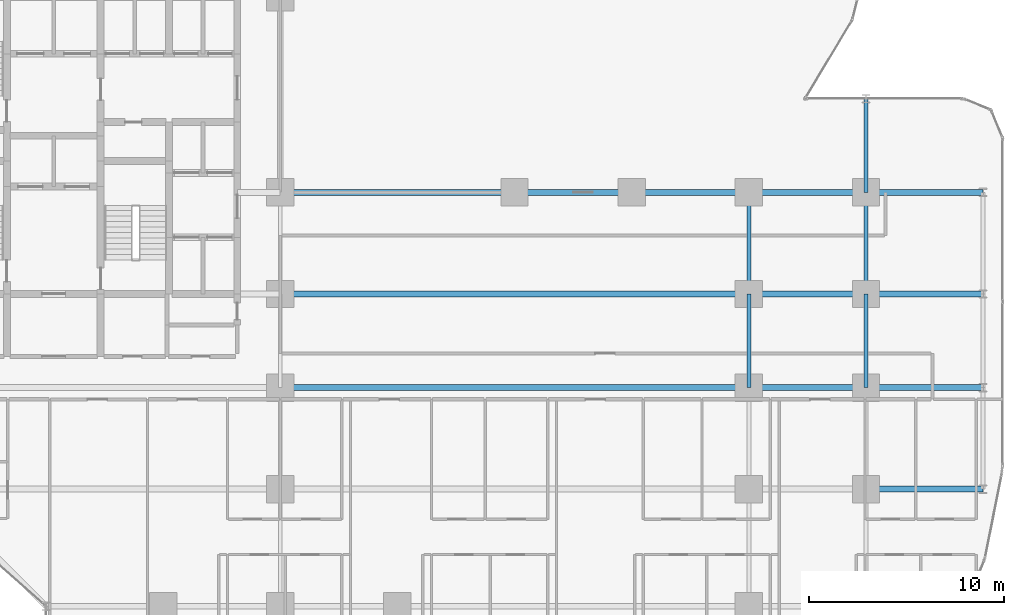
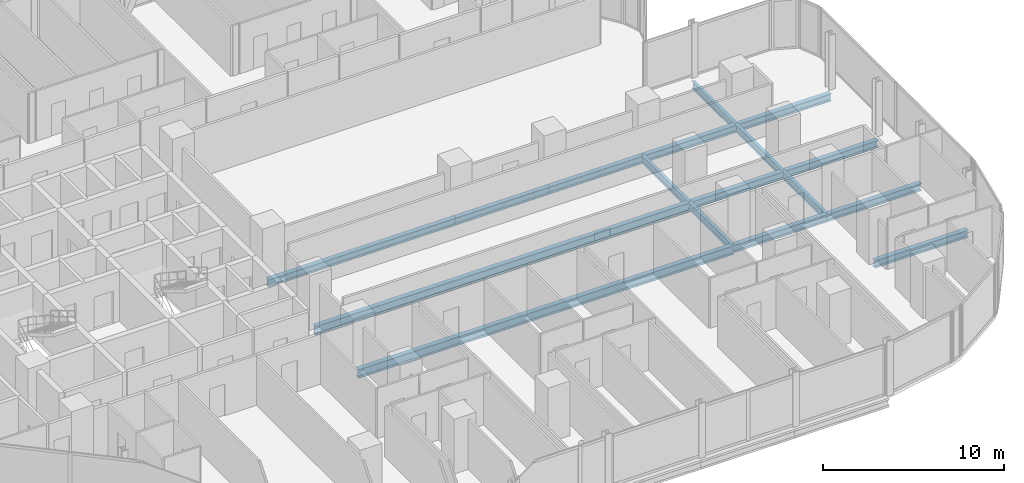
# One storey, part 10 of 33: 17 beams.
"""IFC4 building model written with IfcOpenShell, lengths in metres."""

from ifc_helpers import new_model, si_unit, direction, frame, origin, origin_2d, place, context, subcontext, project, spatial, i_section, extrude, material, material_profile, profile_set, type_object, element, save


model = new_model("IFC4")

# Units and contexts
model_context = context("Model", 3, precision=1e-05, world=origin(), true_north=direction((0.0, 1.0)))
body_context = subcontext(model_context, "Body", "Model", "MODEL_VIEW")
ifc_project = project(units=[si_unit("LENGTHUNIT", "METRE"), si_unit("AREAUNIT", "SQUARE_METRE"), si_unit("VOLUMEUNIT", "CUBIC_METRE"), si_unit("PLANEANGLEUNIT", "RADIAN"), si_unit("MASSUNIT", "GRAM", prefix="KILO")], contexts=[model_context])

# Site, building, storey
site_placement = place(None, origin())
site = spatial("IfcSite", under=ifc_project, at=site_placement, CompositionType="ELEMENT")
building_placement = place(site_placement, origin())
building = spatial("IfcBuilding", under=site, at=building_placement, Name="Keshet Zoharim Tower", CompositionType="ELEMENT")
storey_placement = place(building_placement, frame((0.0, 0.0, 42.5)))
storey = spatial("IfcBuildingStorey", under=building, at=storey_placement, Name="L09", CompositionType="ELEMENT", Elevation=42.5)

# Beams
ifc_material = material(Name="Steel S355", Category="steel")
ifc_material_profile_1 = material_profile(ifc_material, i_section(OverallWidth=0.300048828125, OverallDepth=0.60009765625, WebThickness=0.015380859375, FlangeThickness=0.030029296875, FilletRadius=0.027099609375, at=origin_2d()), Name="HEB600")
ifc_profile_set_1 = profile_set([ifc_material_profile_1], Name="Steel S355")
beam_type_1 = type_object("IfcBeamType", Name="BM-LNG-HB600", PredefinedType="BEAM", material=ifc_profile_set_1)
for number, where, z_axis, x_axis, name in (
    (1, (33.0, 17.89990234375, -0.614990234375), (1.0, 0.0, 0.0), (0.0, 1.0, 0.0), "L09 Primary Girder X-017"),
    (2, (33.0, 22.699951171875, -0.614990234375), (1.0, 0.0, 0.0), (0.0, 1.0, 0.0), "L09 Primary Girder X-020"),
):
    element("IfcBeam", number, at=place(storey_placement, frame(where, z_axis=z_axis, x_axis=x_axis)), inside=storey, type_object=beam_type_1, Name=name, PredefinedType="BEAM", context=body_context, shape_type="SweptSolid", body=[
        extrude(i_section(OverallWidth=0.300048828125, OverallDepth=0.60009765625, WebThickness=0.015380859375, FlangeThickness=0.030029296875, FilletRadius=0.027099609375, at=origin_2d()), origin(), (0.0, 0.0, 1.0), 24.0),
    ])
ifc_material_profile_2 = material_profile(ifc_material, i_section(OverallWidth=0.300048828125, OverallDepth=0.5, WebThickness=0.014404296875, FlangeThickness=0.028076171875, FilletRadius=0.027099609375, at=origin_2d()), Name="HEB500")
ifc_profile_set_2 = profile_set([ifc_material_profile_2], Name="Steel S355")
beam_type_2 = type_object("IfcBeamType", Name="BM-MED-HB500", PredefinedType="BEAM", material=ifc_profile_set_2)
beam_1_placement = place(storey_placement, frame((33.0, 27.89990234375, -0.56494140625), z_axis=(1.0, 0.0, 0.0), x_axis=(0.0, 1.0, 0.0)))
element("IfcBeam", 3, at=beam_1_placement, inside=storey, type_object=beam_type_2, Name="L09 Primary Girder X-023", PredefinedType="BEAM", context=body_context, shape_type="SweptSolid", body=[
    extrude(i_section(OverallWidth=0.300048828125, OverallDepth=0.5, WebThickness=0.014404296875, FlangeThickness=0.028076171875, FilletRadius=0.027099609375, at=origin_2d()), origin(), (0.0, 0.0, 1.0), 12.0),
])
ifc_material_profile_3 = material_profile(ifc_material, i_section(OverallWidth=0.199951171875, OverallDepth=0.5, WebThickness=0.01025390625, FlangeThickness=0.01611328125, FilletRadius=0.02099609375, at=origin_2d()), Name="IPE500")
ifc_profile_set_3 = profile_set([ifc_material_profile_3], Name="Steel S355")
beam_type_3 = type_object("IfcBeamType", Name="BM-PRI-IP500", PredefinedType="BEAM", material=ifc_profile_set_3)
beam_2_placement = place(storey_placement, frame((57.0, 17.89990234375, -0.56494140625), z_axis=(0.0, 1.0, 0.0), x_axis=(-1.0, 0.0, 0.0)))
element("IfcBeam", 4, at=beam_2_placement, inside=storey, type_object=beam_type_3, Name="L09 Primary Girder Y-016", PredefinedType="BEAM", context=body_context, shape_type="SweptSolid", body=[
    extrude(i_section(OverallWidth=0.199951171875, OverallDepth=0.5, WebThickness=0.01025390625, FlangeThickness=0.01611328125, FilletRadius=0.02099609375, at=origin_2d()), origin(), (0.0, 0.0, 1.0), 4.800048828125),
])
beam_3_placement = place(storey_placement, frame((57.0, 22.699951171875, -0.56494140625), z_axis=(0.0, 1.0, 0.0), x_axis=(-1.0, 0.0, 0.0)))
element("IfcBeam", 5, at=beam_3_placement, inside=storey, type_object=beam_type_3, Name="L09 Primary Girder Y-017", PredefinedType="BEAM", context=body_context, shape_type="SweptSolid", body=[
    extrude(i_section(OverallWidth=0.199951171875, OverallDepth=0.5, WebThickness=0.01025390625, FlangeThickness=0.01611328125, FilletRadius=0.02099609375, at=origin_2d()), origin(), (0.0, 0.0, 1.0), 5.199951171875),
])
beam_4_placement = place(storey_placement, frame((63.0, 17.89990234375, -0.56494140625), z_axis=(0.0, 1.0, 0.0), x_axis=(-1.0, 0.0, 0.0)))
element("IfcBeam", 6, at=beam_4_placement, inside=storey, type_object=beam_type_3, Name="L09 Primary Girder Y-020", PredefinedType="BEAM", context=body_context, shape_type="SweptSolid", body=[
    extrude(i_section(OverallWidth=0.199951171875, OverallDepth=0.5, WebThickness=0.01025390625, FlangeThickness=0.01611328125, FilletRadius=0.02099609375, at=origin_2d()), origin(), (0.0, 0.0, 1.0), 4.800048828125),
])
beam_5_placement = place(storey_placement, frame((63.0, 22.699951171875, -0.56494140625), z_axis=(0.0, 1.0, 0.0), x_axis=(-1.0, 0.0, 0.0)))
element("IfcBeam", 7, at=beam_5_placement, inside=storey, type_object=beam_type_3, Name="L09 Primary Girder Y-021", PredefinedType="BEAM", context=body_context, shape_type="SweptSolid", body=[
    extrude(i_section(OverallWidth=0.199951171875, OverallDepth=0.5, WebThickness=0.01025390625, FlangeThickness=0.01611328125, FilletRadius=0.02099609375, at=origin_2d()), origin(), (0.0, 0.0, 1.0), 5.199951171875),
])
beam_6_placement = place(storey_placement, frame((63.0, 27.89990234375, -0.56494140625), z_axis=(0.0, 1.0, 0.0), x_axis=(-1.0, 0.0, 0.0)))
element("IfcBeam", 8, at=beam_6_placement, inside=storey, type_object=beam_type_3, Name="L09 Primary Girder Y-022", PredefinedType="BEAM", context=body_context, shape_type="SweptSolid", body=[
    extrude(i_section(OverallWidth=0.199951171875, OverallDepth=0.5, WebThickness=0.01025390625, FlangeThickness=0.01611328125, FilletRadius=0.02099609375, at=origin_2d()), origin(), (0.0, 0.0, 1.0), 4.800048828125),
])
ifc_material_profile_4 = material_profile(ifc_material, i_section(OverallWidth=0.300048828125, OverallDepth=0.5, WebThickness=0.014404296875, FlangeThickness=0.028076171875, FilletRadius=0.027099609375, at=origin_2d()), Name="HEB500")
ifc_profile_set_4 = profile_set([ifc_material_profile_4], Name="Steel S355")
beam_type_4 = type_object("IfcBeamType", Name="BM-WEB-HB500", PredefinedType="BEAM", material=ifc_profile_set_4)
for number, where, z_axis, x_axis, name in (
    (9, (63.0, 12.699951171875, -0.56494140625), (1.0, 0.0, 0.0), (0.0, 1.0, 0.0), "L09 Primary Girder X-014"),
    (10, (57.0, 17.89990234375, -0.56494140625), (1.0, 0.0, 0.0), (0.0, 1.0, 0.0), "L09 Primary Girder X-018"),
    (11, (63.0, 17.89990234375, -0.56494140625), (1.0, 0.0, 0.0), (0.0, 1.0, 0.0), "L09 Primary Girder X-019"),
    (12, (57.0, 22.699951171875, -0.56494140625), (1.0, 0.0, 0.0), (0.0, 1.0, 0.0), "L09 Primary Girder X-021"),
    (13, (63.0, 22.699951171875, -0.56494140625), (1.0, 0.0, 0.0), (0.0, 1.0, 0.0), "L09 Primary Girder X-022"),
    (14, (45.0, 27.89990234375, -0.56494140625), (1.0, 0.0, 0.0), (0.0, 1.0, 0.0), "L09 Primary Girder X-024"),
    (15, (51.0, 27.89990234375, -0.56494140625), (1.0, 0.0, 0.0), (0.0, 1.0, 0.0), "L09 Primary Girder X-025"),
    (16, (57.0, 27.89990234375, -0.56494140625), (1.0, 0.0, 0.0), (0.0, 1.0, 0.0), "L09 Primary Girder X-026"),
    (17, (63.0, 27.89990234375, -0.56494140625), (1.0, 0.0, 0.0), (0.0, 1.0, 0.0), "L09 Primary Girder X-027"),
):
    element("IfcBeam", number, at=place(storey_placement, frame(where, z_axis=z_axis, x_axis=x_axis)), inside=storey, type_object=beam_type_4, Name=name, PredefinedType="BEAM", context=body_context, shape_type="SweptSolid", body=[
        extrude(i_section(OverallWidth=0.300048828125, OverallDepth=0.5, WebThickness=0.014404296875, FlangeThickness=0.028076171875, FilletRadius=0.027099609375, at=origin_2d()), origin(), (0.0, 0.0, 1.0), 6.0),
    ])

save(model, "model.ifc")
